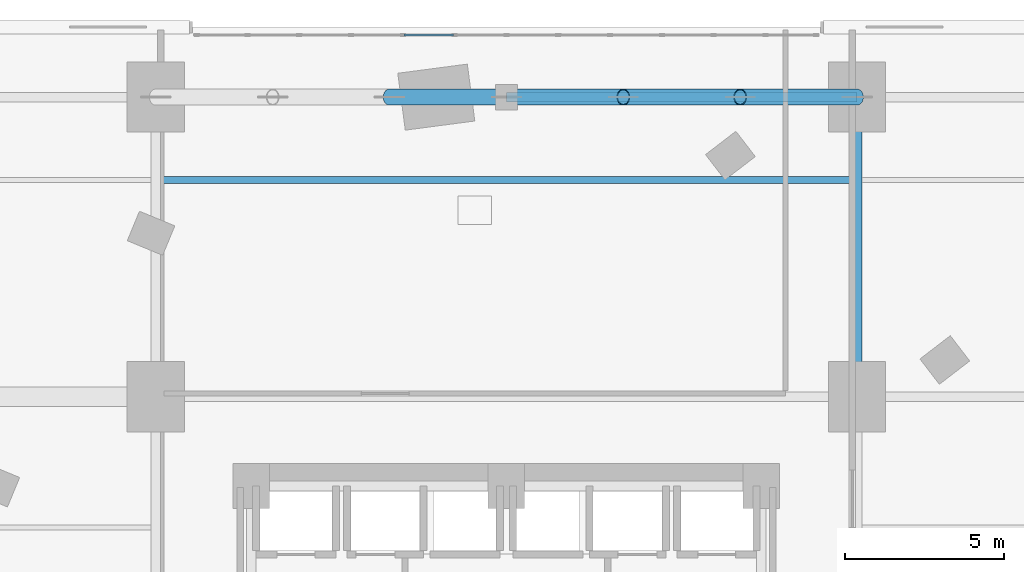
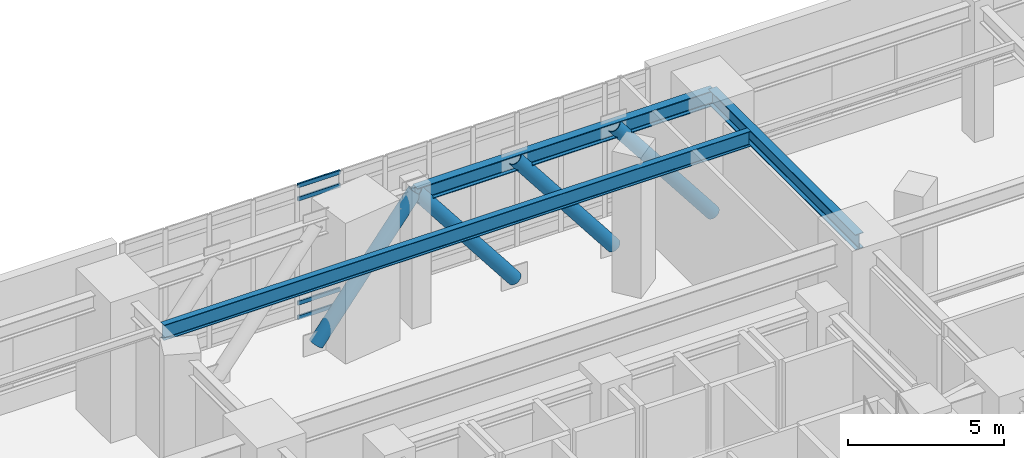
# One storey, part 9 of 19: 8 members, 3 beams, 1 element without a shape of its own.
"""IFC4 building model written with IfcOpenShell, lengths in metres."""

from ifc_helpers import new_model, si_unit, direction, frame, origin, origin_2d, place, context, subcontext, project, spatial, hollow_rectangle, hollow_circle, i_section, extrude, material, layer, layer_set, material_profile, profile_set, type_object, element, aggregate, save


model = new_model("IFC4")

# Units and contexts
model_context = context("Model", 3, precision=1e-05, world=origin(), true_north=direction((0.0, 1.0)))
body_context = subcontext(model_context, "Body", "Model", "MODEL_VIEW")
ifc_project = project(units=[si_unit("LENGTHUNIT", "METRE"), si_unit("AREAUNIT", "SQUARE_METRE"), si_unit("VOLUMEUNIT", "CUBIC_METRE"), si_unit("PLANEANGLEUNIT", "RADIAN"), si_unit("MASSUNIT", "GRAM", prefix="KILO")], contexts=[model_context])

# Site, building, storey
site_placement = place(None, origin())
site = spatial("IfcSite", under=ifc_project, at=site_placement, CompositionType="ELEMENT")
building_placement = place(site_placement, origin())
building = spatial("IfcBuilding", under=site, at=building_placement, Name="Ndelora Gate Hotel", CompositionType="ELEMENT")
storey_placement = place(building_placement, frame((0.0, 0.0, 16.0)))
storey = spatial("IfcBuildingStorey", under=building, at=storey_placement, Name="L03", CompositionType="ELEMENT", Elevation=16.0)

# Beams
ifc_material_1 = material(Name="Steel S355", Category="steel")
ifc_material_profile_1 = material_profile(ifc_material_1, i_section(OverallWidth=0.300048828125, OverallDepth=0.60009765625, WebThickness=0.015380859375, FlangeThickness=0.030029296875, FilletRadius=0.027099609375, at=origin_2d()), Name="HEB 600")
ifc_profile_set_1 = profile_set([ifc_material_profile_1], Name="Steel S355")
beam_type_1 = type_object("IfcBeamType", Name="BM-POD-600", PredefinedType="BEAM", material=ifc_profile_set_1)
beam_1_placement = place(storey_placement, frame((11.0, 9.39990234375, 4.919921875), z_axis=(0.0, 1.0, 0.0), x_axis=(-1.0, 0.0, 0.0)))
element("IfcBeam", 1, at=beam_1_placement, inside=storey, type_object=beam_type_1, Name="L03 Podium Longitudinal Girder X=+11.0", PredefinedType="BEAM", context=body_context, shape_type="SweptSolid", body=[
    extrude(i_section(OverallWidth=0.300048828125, OverallDepth=0.60009765625, WebThickness=0.015380859375, FlangeThickness=0.030029296875, FilletRadius=0.027099609375, at=origin_2d()), origin(), (0.0, 0.0, 1.0), 9.400146484375),
])
beam_2_placement = place(storey_placement, frame((0.0, 18.800048828125, 4.919921875), z_axis=(1.0, 0.0, 0.0), x_axis=(0.0, 1.0, 0.0)))
element("IfcBeam", 2, at=beam_2_placement, inside=storey, type_object=beam_type_1, Name="L03 Podium Transverse Girder Y=+18.8", PredefinedType="BEAM", context=body_context, shape_type="SweptSolid", body=[
    extrude(i_section(OverallWidth=0.300048828125, OverallDepth=0.60009765625, WebThickness=0.015380859375, FlangeThickness=0.030029296875, FilletRadius=0.027099609375, at=origin_2d()), origin(), (0.0, 0.0, 1.0), 11.0),
])
ifc_material_profile_2 = material_profile(ifc_material_1, i_section(OverallWidth=0.219970703125, OverallDepth=0.60009765625, WebThickness=0.011962890625, FlangeThickness=0.01904296875, FilletRadius=0.02392578125, at=origin_2d()), Name="IPE 600")
ifc_profile_set_2 = profile_set([ifc_material_profile_2], Name="Steel S355")
beam_type_2 = type_object("IfcBeamType", Name="BM-RAD-600", PredefinedType="BEAM", material=ifc_profile_set_2)
beam_3_placement = place(storey_placement, frame((-10.85009765625, 16.199951171875, 4.919921875), z_axis=(1.0, 0.0, 0.0), x_axis=(0.0, 1.0, 0.0)))
element("IfcBeam", 3, at=beam_3_placement, inside=storey, type_object=beam_type_2, Name="L03 Podium Composite Secondary Joist 3", PredefinedType="BEAM", context=body_context, shape_type="SweptSolid", body=[
    extrude(i_section(OverallWidth=0.219970703125, OverallDepth=0.60009765625, WebThickness=0.011962890625, FlangeThickness=0.01904296875, FilletRadius=0.02392578125, at=origin_2d()), origin(), (0.0, 0.0, 1.0), 21.7001953125),
])

# Curtain wall, members
ifc_material_2 = material(Name="Bronze Anodised Unitised Aluminium and Low-E Glass", Category="aluminium")
ifc_layer = layer(ifc_material_2, 0.219970703125)
ifc_layer_set = layer_set([ifc_layer], Name="Bronze Anodised Unitised Aluminium and Low-E Glass")
curtain_wall_type = type_object("IfcCurtainWallType", Name="CW-SYS-2", PredefinedType="NOTDEFINED", material=ifc_layer_set)
curtain_wall_placement = place(storey_placement, origin())
curtain_wall = element("IfcCurtainWall", 4, at=curtain_wall_placement, inside=storey, type_object=curtain_wall_type, Name="L03 North Banquet Pre-Function Curtain Wall CW2", PredefinedType="NOTDEFINED")
ifc_material_3 = material(Name="Bronze Anodised Aluminium 6063-T6", Category="aluminium")
ifc_material_profile_3 = material_profile(ifc_material_3, hollow_rectangle(XDim=0.06494140625, YDim=0.159912109375, WallThickness=0.00390625, InnerFilletRadius=0.00390625, OuterFilletRadius=0.008056640625, at=origin_2d()), Name="ALU 160x65x4")
ifc_profile_set_3 = profile_set([ifc_material_profile_3], Name="Bronze Anodised Aluminium 6063-T6")
member_type_1 = type_object("IfcMemberType", Name="MB-CW-TRN150", PredefinedType="USERDEFINED", material=ifc_profile_set_3)
member_1_placement = place(storey_placement, frame((-1.654052734375, 20.75, 0.032470703125), z_axis=(-1.0, 0.0, 0.0), x_axis=(0.0, -1.0, 0.0)))
member_1 = element("IfcMember", 5, at=member_1_placement, type_object=member_type_1, Name="CW2 transom 8.1", ObjectType="TRANSOM", PredefinedType="USERDEFINED", context=body_context, shape_type="SweptSolid", body=[
    extrude(hollow_rectangle(XDim=0.06494140625, YDim=0.159912109375, WallThickness=0.00390625, InnerFilletRadius=0.00390625, OuterFilletRadius=0.008056640625, at=origin_2d()), origin(), (0.0, 0.0, 1.0), 1.56689453125),
])
member_2_placement = place(storey_placement, frame((-1.654052734375, 20.75, 0.60009765625), z_axis=(-1.0, 0.0, 0.0), x_axis=(0.0, -1.0, 0.0)))
member_2 = element("IfcMember", 6, at=member_2_placement, type_object=member_type_1, Name="CW2 transom 8.2", ObjectType="TRANSOM", PredefinedType="USERDEFINED", context=body_context, shape_type="SweptSolid", body=[
    extrude(hollow_rectangle(XDim=0.06494140625, YDim=0.159912109375, WallThickness=0.00390625, InnerFilletRadius=0.00390625, OuterFilletRadius=0.008056640625, at=origin_2d()), origin(), (0.0, 0.0, 1.0), 1.56689453125),
])
member_3_placement = place(storey_placement, frame((-1.654052734375, 20.75, 4.669921875), z_axis=(-1.0, 0.0, 0.0), x_axis=(0.0, -1.0, 0.0)))
member_3 = element("IfcMember", 7, at=member_3_placement, type_object=member_type_1, Name="CW2 transom 8.3", ObjectType="TRANSOM", PredefinedType="USERDEFINED", context=body_context, shape_type="SweptSolid", body=[
    extrude(hollow_rectangle(XDim=0.06494140625, YDim=0.159912109375, WallThickness=0.00390625, InnerFilletRadius=0.00390625, OuterFilletRadius=0.008056640625, at=origin_2d()), origin(), (0.0, 0.0, 1.0), 1.56689453125),
])
member_4_placement = place(storey_placement, frame((-1.654052734375, 20.75, 5.1875), z_axis=(-1.0, 0.0, 0.0), x_axis=(0.0, -1.0, 0.0)))
member_4 = element("IfcMember", 8, at=member_4_placement, type_object=member_type_1, Name="CW2 transom 8.4", ObjectType="TRANSOM", PredefinedType="USERDEFINED", context=body_context, shape_type="SweptSolid", body=[
    extrude(hollow_rectangle(XDim=0.06494140625, YDim=0.159912109375, WallThickness=0.00390625, InnerFilletRadius=0.00390625, OuterFilletRadius=0.008056640625, at=origin_2d()), origin(), (0.0, 0.0, 1.0), 1.56689453125),
])
aggregate(curtain_wall, [member_1, member_2, member_3, member_4])

# Members
ifc_material_4 = material(Name="Steel S460", Category="steel")
ifc_material_profile_4 = material_profile(ifc_material_4, hollow_circle(Radius=0.25390625, WallThickness=0.028076171875, at=origin_2d()), Name="CHS 508x28")
ifc_profile_set_4 = profile_set([ifc_material_profile_4], Name="Steel S460")
member_type_2 = type_object("IfcMemberType", Name="MB-OUT-508", PredefinedType="BRACE", material=ifc_profile_set_4)
for number, where, z_axis, x_axis, name in (
    (9, (-3.666748046875, 18.800048828125, 0.35009765625), (0.61511378827, 0.0, 0.788438347292), (0.0, 1.0, 0.0), "L03 Portal Arch Crown Transfer Diagonal N-3"),
    (10, (0.0, 18.800048828125, 5.050048828125), (0.61511378827, 0.0, -0.788438347292), (0.0, 1.0, 0.0), "L03 Portal Arch Crown Transfer Diagonal N-4"),
):
    element("IfcMember", number, at=place(storey_placement, frame(where, z_axis=z_axis, x_axis=x_axis)), inside=storey, type_object=member_type_2, Name=name, PredefinedType="BRACE", context=body_context, shape_type="SweptSolid", body=[
        extrude(hollow_circle(Radius=0.25390625, WallThickness=0.028076171875, at=origin_2d()), origin(), (0.0, 0.0, 1.0), 5.961181640625),
    ])
member_5_placement = place(storey_placement, frame((3.666748046875, 18.800048828125, 5.050048828125), z_axis=(0.615088327804, 0.0, -0.788458210052), x_axis=(0.0, 1.0, 0.0)))
element("IfcMember", 11, at=member_5_placement, inside=storey, type_object=member_type_2, Name="L03 Portal Arch Crown Transfer Diagonal N-5", PredefinedType="BRACE", context=body_context, shape_type="SweptSolid", body=[
    extrude(hollow_circle(Radius=0.25390625, WallThickness=0.028076171875, at=origin_2d()), origin(), (0.0, 0.0, 1.0), 5.9609375),
])
member_6_placement = place(storey_placement, frame((7.333251953125, 18.800048828125, 5.050048828125), z_axis=(0.61511378827, 0.0, -0.788438347292), x_axis=(0.0, 1.0, 0.0)))
element("IfcMember", 12, at=member_6_placement, inside=storey, type_object=member_type_2, Name="L03 Portal Arch Crown Transfer Diagonal N-6", PredefinedType="BRACE", context=body_context, shape_type="SweptSolid", body=[
    extrude(hollow_circle(Radius=0.25390625, WallThickness=0.028076171875, at=origin_2d()), origin(), (0.0, 0.0, 1.0), 5.961181640625),
])

save(model, "model.ifc")
